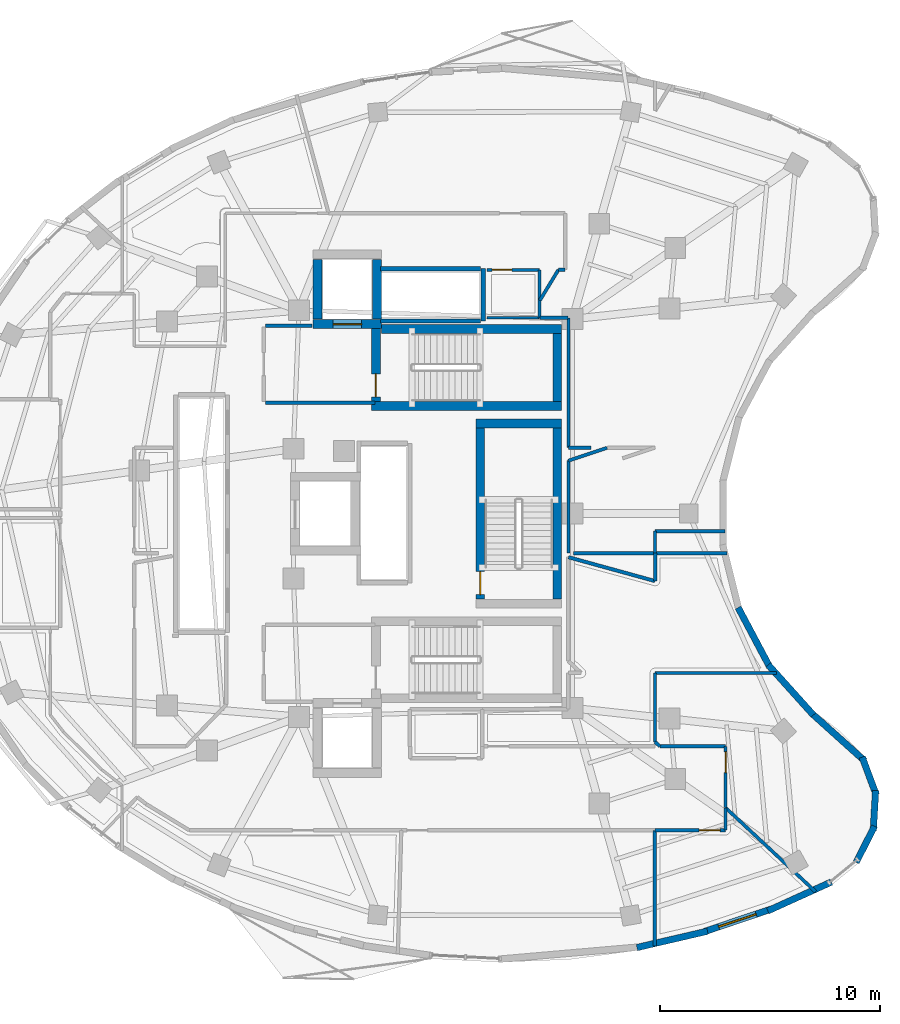
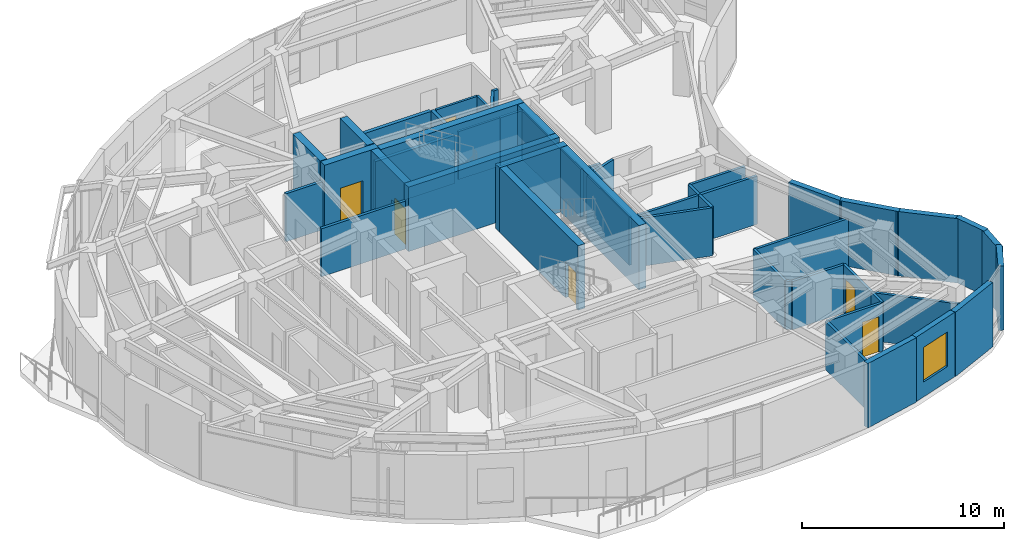
# One storey, part 9 of 14: 49 walls, 6 doors, 1 window, 7 openings.
"""IFC4 building model written with IfcOpenShell, lengths in metres."""

from ifc_helpers import new_model, si_unit, direction, frame, frame_2d, origin, place, context, subcontext, project, spatial, rectangle, extrude, material, layer, layer_set, type_object, element, fill, save


model = new_model("IFC4")

# Units and contexts
model_context = context("Model", 3, precision=1e-05, world=origin(), true_north=direction((0.0, 1.0)))
body_context = subcontext(model_context, "Body", "Model", "MODEL_VIEW")
ifc_project = project(units=[si_unit("LENGTHUNIT", "METRE"), si_unit("AREAUNIT", "SQUARE_METRE"), si_unit("VOLUMEUNIT", "CUBIC_METRE"), si_unit("PLANEANGLEUNIT", "RADIAN"), si_unit("MASSUNIT", "GRAM", prefix="KILO")], contexts=[model_context])

# Site, building, storey
site_placement = place(None, origin())
site = spatial("IfcSite", under=ifc_project, at=site_placement, CompositionType="ELEMENT")
building_placement = place(site_placement, origin())
building = spatial("IfcBuilding", under=site, at=building_placement, Name="Korentha Bioscience Tower", CompositionType="ELEMENT")
storey_placement = place(building_placement, frame((0.0, 0.0, 264.60009765625)))
storey = spatial("IfcBuildingStorey", under=building, at=storey_placement, Name="L61", CompositionType="ELEMENT", Elevation=264.60009765625)

# Wall, opening, door
ifc_material_1 = material(Name="Double-Stud Acoustic Gypsum", Category="gypsum")
ifc_layer_1 = layer(ifc_material_1, 0.14990234375, Name="Double-Stud Acoustic Gypsum")
ifc_layer_set_1 = layer_set([ifc_layer_1], Name="Double-Stud Acoustic Gypsum (IW-L150)")
wall_type_1 = type_object("IfcWallType", Name="Acoustic Laboratory Partition Wall 150", PredefinedType="PARTITIONING", material=ifc_layer_set_1)
wall_1_placement = place(storey_placement, frame((41.30810546875, 12.590087890625, 0.0), z_axis=(0.0, 0.0, 1.0), x_axis=(1.0, 0.0, 0.0)))
wall_1 = element("IfcWall", 1, at=wall_1_placement, inside=storey, type_object=wall_type_1, Name="L61 Mass-Spectrometry Analytical Suite 05 Entrance Wall", PredefinedType="PARTITIONING", context=body_context, shape_type="SweptSolid", body=[
    extrude(rectangle(XDim=3.19189453125, YDim=0.14990234375, at=frame_2d((1.595947265625, 0.0))), origin(), (0.0, 0.0, 1.0), 2.909912109375),
])
opening_1_placement = place(wall_1_placement, frame((2.001953125, 0.0, 0.0)))
opening_1 = element("IfcOpeningElement", 2, at=opening_1_placement, cuts=wall_1, Name="Opening ID-10R", PredefinedType="OPENING", context=body_context, shape_type="SweptSolid", body=[
    extrude(rectangle(XDim=0.949951171875, YDim=2.14990234375, at=frame_2d((0.47509765625, 1.074951171875))), frame((0.0, 0.08984375, 0.0), z_axis=(0.0, -1.0, 0.0), x_axis=(1.0, 0.0, 0.0)), (0.0, 0.0, 1.0), 0.1796875),
])
ifc_material_2 = material(Name="Phenolic Laminate Timber Core", Category="wood")
door_type_1 = type_object("IfcDoorType", Name="Laboratory Single Leaf Door 950x2150 Right", OperationType="SINGLE_SWING_RIGHT", PredefinedType="DOOR", material=ifc_material_2)
door_1_placement = place(opening_1_placement, origin())
door_1 = element("IfcDoor", 3, at=door_1_placement, inside=storey, type_object=door_type_1, Name="L61 Mass-Spectrometry Analytical Suite 05 Door", OperationType="SINGLE_SWING_RIGHT", OverallHeight=2.14990234375, OverallWidth=0.949951171875, PredefinedType="DOOR", context=body_context, shape_type="SweptSolid", body=[
    extrude(rectangle(XDim=0.949951171875, YDim=2.14990234375, at=frame_2d((0.47509765625, 1.074951171875))), frame((0.0, 0.02490234375, 0.0), z_axis=(0.0, -1.0, 0.0), x_axis=(1.0, 0.0, 0.0)), (0.0, 0.0, 1.0), 0.050048828125),
])
fill(opening_1, door_1)

wall_2_placement = place(storey_placement, frame((44.510009765625, 13.625244140625, 0.0), z_axis=(0.0, 0.0, 1.0), x_axis=(0.0, 1.0, 0.0)))
wall_2 = element("IfcWall", 4, at=wall_2_placement, inside=storey, type_object=wall_type_1, Name="L61 HPLC Chromatography Room 06 Entrance Wall", PredefinedType="PARTITIONING", context=body_context, shape_type="SweptSolid", body=[
    extrude(rectangle(XDim=2.774658203125, YDim=0.14990234375, at=frame_2d((1.38720703125, 0.0))), origin(), (0.0, 0.0, 1.0), 2.909912109375),
])
opening_2_placement = place(wall_2_placement, frame((1.584716796875, 0.0, 0.0)))
opening_2 = element("IfcOpeningElement", 5, at=opening_2_placement, cuts=wall_2, Name="Opening ID-10L", PredefinedType="OPENING", context=body_context, shape_type="SweptSolid", body=[
    extrude(rectangle(XDim=0.949951171875, YDim=2.14990234375, at=frame_2d((0.47509765625, 1.074951171875))), frame((0.0, 0.08984375, 0.0), z_axis=(0.0, -1.0, 0.0), x_axis=(1.0, 0.0, 0.0)), (0.0, 0.0, 1.0), 0.1796875),
])
door_type_2 = type_object("IfcDoorType", Name="Laboratory Single Leaf Door 950x2150 Left", OperationType="SINGLE_SWING_LEFT", PredefinedType="DOOR", material=ifc_material_2)
door_2_placement = place(opening_2_placement, origin())
door_2 = element("IfcDoor", 6, at=door_2_placement, inside=storey, type_object=door_type_2, Name="L61 HPLC Chromatography Room 06 Door", OperationType="SINGLE_SWING_LEFT", OverallHeight=2.14990234375, OverallWidth=0.949951171875, PredefinedType="DOOR", context=body_context, shape_type="SweptSolid", body=[
    extrude(rectangle(XDim=0.949951171875, YDim=2.14990234375, at=frame_2d((0.47509765625, 1.074951171875))), frame((0.0, 0.02490234375, 0.0), z_axis=(0.0, -1.0, 0.0), x_axis=(1.0, 0.0, 0.0)), (0.0, 0.0, 1.0), 0.050048828125),
])
fill(opening_2, door_2)

# Walls
wall_3_placement = place(storey_placement, frame((44.510009765625, 12.60009765625, 0.0), z_axis=(0.0, 0.0, 1.0), x_axis=(0.0, 1.0, 0.0)))
element("IfcWall", 7, at=wall_3_placement, inside=storey, type_object=wall_type_1, Name="L61 Interior Partition 048", PredefinedType="PARTITIONING", context=body_context, shape_type="SweptSolid", body=[
    extrude(rectangle(XDim=1.01513671875, YDim=0.14990234375, at=frame_2d((0.507568359375, 0.0))), origin(), (0.0, 0.0, 1.0), 2.909912109375),
])
wall_4_placement = place(storey_placement, frame((44.510009765625, 13.615234375, 0.0), z_axis=(0.0, 0.0, 1.0), x_axis=(0.731351206573, -0.682001035662, 0.0)))
element("IfcWall", 8, at=wall_4_placement, inside=storey, type_object=wall_type_1, Name="L61 Interior Partition 049", PredefinedType="PARTITIONING", context=body_context, shape_type="SweptSolid", body=[
    extrude(rectangle(XDim=5.59521484375, YDim=0.14990234375, at=frame_2d((2.797607421875, 0.0))), origin(), (0.0, 0.0, 1.0), 2.909912109375),
])
wall_5_placement = place(storey_placement, frame((44.5, 16.409912109375, 0.0), z_axis=(0.0, 0.0, 1.0), x_axis=(-1.0, 0.0, 0.0)))
element("IfcWall", 9, at=wall_5_placement, inside=storey, type_object=wall_type_1, Name="L61 Interior Partition 050", PredefinedType="PARTITIONING", context=body_context, shape_type="SweptSolid", body=[
    extrude(rectangle(XDim=2.981201171875, YDim=0.14990234375, at=frame_2d((1.49072265625, 0.0))), origin(), (0.0, 0.0, 1.0), 2.909912109375),
])
wall_6_placement = place(storey_placement, frame((41.518798828125, 16.409912109375, 0.0), z_axis=(0.0, 0.0, 1.0), x_axis=(-0.73097314168, 0.682406232491, 0.0)))
element("IfcWall", 10, at=wall_6_placement, inside=storey, type_object=wall_type_1, Name="L61 Interior Partition 051", PredefinedType="PARTITIONING", context=body_context, shape_type="SweptSolid", body=[
    extrude(rectangle(XDim=0.296630859375, YDim=0.14990234375, at=frame_2d((0.1484375, 0.0))), origin(), (0.0, 0.0, 1.0), 2.909912109375),
])
wall_7_placement = place(storey_placement, frame((41.302001953125, 16.6123046875, 0.0), z_axis=(0.0, 0.0, 1.0), x_axis=(0.0, 1.0, 0.0)))
element("IfcWall", 11, at=wall_7_placement, inside=storey, type_object=wall_type_1, Name="L61 Interior Partition 052", PredefinedType="PARTITIONING", context=body_context, shape_type="SweptSolid", body=[
    extrude(rectangle(XDim=3.1357421875, YDim=0.14990234375, at=frame_2d((1.56787109375, 0.0))), origin(), (0.0, 0.0, 1.0), 2.909912109375),
])
wall_8_placement = place(storey_placement, frame((41.302001953125, 19.748046875, 0.0), z_axis=(0.0, 0.0, 1.0), x_axis=(1.0, 0.0, 0.0)))
element("IfcWall", 12, at=wall_8_placement, inside=storey, type_object=wall_type_1, Name="L61 Interior Partition 053", PredefinedType="PARTITIONING", context=body_context, shape_type="SweptSolid", body=[
    extrude(rectangle(XDim=5.528076171875, YDim=0.14990234375, at=frame_2d((2.76416015625, 0.0))), origin(), (0.0, 0.0, 1.0), 2.909912109375),
])
wall_9_placement = place(storey_placement, frame((44.479248046875, 26.201904296875, 0.0), z_axis=(0.0, 0.0, 1.0), x_axis=(-1.0, 0.0, 0.0)))
element("IfcWall", 13, at=wall_9_placement, inside=storey, type_object=wall_type_1, Name="L61 Interior Partition 064", PredefinedType="PARTITIONING", context=body_context, shape_type="SweptSolid", body=[
    extrude(rectangle(XDim=3.177001953125, YDim=0.14990234375, at=frame_2d((1.58837890625, 0.0))), origin(), (0.0, 0.0, 1.0), 2.909912109375),
])
wall_10_placement = place(storey_placement, frame((41.298095703125, 26.19775390625, 0.0), z_axis=(0.0, 0.0, 1.0), x_axis=(0.0, -1.0, 0.0)))
element("IfcWall", 14, at=wall_10_placement, inside=storey, type_object=wall_type_1, Name="L61 Interior Partition 065", PredefinedType="PARTITIONING", context=body_context, shape_type="SweptSolid", body=[
    extrude(rectangle(XDim=0.99072265625, YDim=0.14990234375, at=frame_2d((0.495361328125, 0.0))), origin(), (0.0, 0.0, 1.0), 2.909912109375),
])
wall_11_placement = place(storey_placement, frame((41.29296875, 25.201904296875, 0.0), z_axis=(0.0, 0.0, 1.0), x_axis=(-1.0, 0.0, 0.0)))
element("IfcWall", 15, at=wall_11_placement, inside=storey, type_object=wall_type_1, Name="L61 Interior Partition 066", PredefinedType="PARTITIONING", context=body_context, shape_type="SweptSolid", body=[
    extrude(rectangle(XDim=3.70947265625, YDim=0.14990234375, at=frame_2d((1.854736328125, 0.0))), origin(), (0.0, 0.0, 1.0), 2.909912109375),
])
wall_12_placement = place(storey_placement, frame((37.360107421875, 25.201904296875, 0.0), z_axis=(0.0, 0.0, 1.0), x_axis=(0.0, 1.0, 0.0)))
element("IfcWall", 16, at=wall_12_placement, inside=storey, type_object=wall_type_1, Name="L61 Interior Partition 067", PredefinedType="PARTITIONING", context=body_context, shape_type="SweptSolid", body=[
    extrude(rectangle(XDim=4.205078125, YDim=0.14990234375, at=frame_2d((2.1025390625, 0.0))), origin(), (0.0, 0.0, 1.0), 2.909912109375),
])
wall_13_placement = place(storey_placement, frame((37.360107421875, 29.406982421875, 0.0), z_axis=(0.0, 0.0, 1.0), x_axis=(0.948299905075, 0.317375629238, 0.0)))
element("IfcWall", 17, at=wall_13_placement, inside=storey, type_object=wall_type_1, Name="L61 Interior Partition 068", PredefinedType="PARTITIONING", context=body_context, shape_type="SweptSolid", body=[
    extrude(rectangle(XDim=1.85009765625, YDim=0.14990234375, at=frame_2d((0.925048828125, 0.0))), origin(), (0.0, 0.0, 1.0), 2.909912109375),
])
wall_14_placement = place(storey_placement, frame((38.381591796875, 30.001953125, 0.0), z_axis=(0.0, 0.0, 1.0), x_axis=(-1.0, 0.0, 0.0)))
element("IfcWall", 18, at=wall_14_placement, inside=storey, type_object=wall_type_1, Name="L61 Interior Partition 069", PredefinedType="PARTITIONING", context=body_context, shape_type="SweptSolid", body=[
    extrude(rectangle(XDim=1.021484375, YDim=0.14990234375, at=frame_2d((0.5107421875, 0.0))), origin(), (0.0, 0.0, 1.0), 2.909912109375),
])
wall_15_placement = place(storey_placement, frame((37.360107421875, 30.001953125, 0.0), z_axis=(0.0, 0.0, 1.0), x_axis=(0.0, 1.0, 0.0)))
element("IfcWall", 19, at=wall_15_placement, inside=storey, type_object=wall_type_1, Name="L61 Interior Partition 070", PredefinedType="PARTITIONING", context=body_context, shape_type="SweptSolid", body=[
    extrude(rectangle(XDim=5.89794921875, YDim=0.14990234375, at=frame_2d((2.948974609375, 0.0))), origin(), (0.0, 0.0, 1.0), 2.909912109375),
])
wall_16_placement = place(storey_placement, frame((37.35009765625, 35.909912109375, 0.0), z_axis=(0.0, 0.0, 1.0), x_axis=(-1.0, 0.0, 0.0)))
element("IfcWall", 20, at=wall_16_placement, inside=storey, type_object=wall_type_1, Name="L61 Interior Partition 071", PredefinedType="PARTITIONING", context=body_context, shape_type="SweptSolid", body=[
    extrude(rectangle(XDim=1.2900390625, YDim=0.14990234375, at=frame_2d((0.64501953125, 0.0))), origin(), (0.0, 0.0, 1.0), 2.909912109375),
])
wall_17_placement = place(storey_placement, frame((36.06005859375, 36.70068359375, 0.0), z_axis=(0.0, 0.0, 1.0), x_axis=(0.519499134934, 0.854470975986, 0.0)))
element("IfcWall", 21, at=wall_17_placement, inside=storey, type_object=wall_type_1, Name="L61 Interior Partition 072", PredefinedType="PARTITIONING", context=body_context, shape_type="SweptSolid", body=[
    extrude(rectangle(XDim=1.6259765625, YDim=0.14990234375, at=frame_2d((0.81298828125, 0.0))), origin(), (0.0, 0.0, 1.0), 2.909912109375),
])
wall_18_placement = place(storey_placement, frame((36.90478515625, 38.090087890625, 0.0), z_axis=(0.0, 0.0, 1.0), x_axis=(1.0, 0.0, 0.0)))
element("IfcWall", 22, at=wall_18_placement, inside=storey, type_object=wall_type_1, Name="L61 Interior Partition 073", PredefinedType="PARTITIONING", context=body_context, shape_type="SweptSolid", body=[
    extrude(rectangle(XDim=0.295166015625, YDim=0.14990234375, at=frame_2d((0.1474609375, 0.0))), origin(), (0.0, 0.0, 1.0), 2.909912109375),
])
ifc_material_3 = material(Name="Gypsum-Clad Steel Stud", Category="steel")
ifc_layer_2 = layer(ifc_material_3, 0.159912109375, Name="Gypsum-Clad Steel Stud")
ifc_layer_set_2 = layer_set([ifc_layer_2], Name="Gypsum-Clad Steel Stud (IW-C160)")
wall_type_2 = type_object("IfcWallType", Name="Fire-Rated Corridor Partition Wall 160", PredefinedType="PARTITIONING", material=ifc_layer_set_2)
wall_19_placement = place(storey_placement, frame((23.580078125, 32.050048828125, 0.0), z_axis=(0.0, 0.0, 1.0), x_axis=(1.0, 0.0, 0.0)))
element("IfcWall", 23, at=wall_19_placement, inside=storey, type_object=wall_type_2, Name="L61 Firefighting Lobby Return Wall FFLN-S", PredefinedType="PARTITIONING", context=body_context, shape_type="SweptSolid", body=[
    extrude(rectangle(XDim=4.969970703125, YDim=0.159912109375, at=frame_2d((2.48486328125, 0.0))), origin(), (0.0, 0.0, 1.0), 2.909912109375),
])
wall_20_placement = place(storey_placement, frame((23.580078125, 35.550048828125, 0.0), z_axis=(0.0, 0.0, 1.0), x_axis=(1.0, 0.0, 0.0)))
element("IfcWall", 24, at=wall_20_placement, inside=storey, type_object=wall_type_2, Name="L61 Firefighting Lobby Return Wall FFLN-N", PredefinedType="PARTITIONING", context=body_context, shape_type="SweptSolid", body=[
    extrude(rectangle(XDim=2.119873046875, YDim=0.159912109375, at=frame_2d((1.06005859375, 0.0))), origin(), (0.0, 0.0, 1.0), 2.909912109375),
])
wall_21_placement = place(storey_placement, frame((41.298095703125, 12.590087890625, 0.0), z_axis=(0.0, 0.0, 1.0), x_axis=(0.0, -1.0, 0.0)))
element("IfcWall", 25, at=wall_21_placement, inside=storey, type_object=wall_type_2, Name="L61 Interior Partition 047", PredefinedType="PARTITIONING", context=body_context, shape_type="SweptSolid", body=[
    extrude(rectangle(XDim=5.260986328125, YDim=0.159912109375, at=frame_2d((2.63037109375, 0.0))), origin(), (0.0, 0.0, 1.0), 2.909912109375),
])
wall_22_placement = place(storey_placement, frame((37.360107421875, 25.0146484375, 0.0), z_axis=(0.0, 0.0, 1.0), x_axis=(0.964088745179, -0.26558029185, 0.0)))
element("IfcWall", 26, at=wall_22_placement, inside=storey, type_object=wall_type_2, Name="L61 Interior Partition 056", PredefinedType="PARTITIONING", context=body_context, shape_type="SweptSolid", body=[
    extrude(rectangle(XDim=4.08349609375, YDim=0.159912109375, at=frame_2d((2.041748046875, 0.0))), origin(), (0.0, 0.0, 1.0), 2.909912109375),
])
wall_23_placement = place(storey_placement, frame((41.302001953125, 23.93408203125, 0.0), z_axis=(0.0, 0.0, 1.0), x_axis=(0.0, 1.0, 0.0)))
element("IfcWall", 27, at=wall_23_placement, inside=storey, type_object=wall_type_2, Name="L61 Interior Partition 057", PredefinedType="PARTITIONING", context=body_context, shape_type="SweptSolid", body=[
    extrude(rectangle(XDim=1.263671875, YDim=0.159912109375, at=frame_2d((0.6318359375, 0.0))), origin(), (0.0, 0.0, 1.0), 2.909912109375),
])
wall_24_placement = place(storey_placement, frame((41.30224609375, 25.197998046875, 0.0), z_axis=(0.0, 0.0, 1.0), x_axis=(1.0, 0.0, 0.0)))
element("IfcWall", 28, at=wall_24_placement, inside=storey, type_object=wall_type_2, Name="L61 Interior Partition 058", PredefinedType="PARTITIONING", context=body_context, shape_type="SweptSolid", body=[
    extrude(rectangle(XDim=3.27685546875, YDim=0.159912109375, at=frame_2d((1.638427734375, 0.0))), origin(), (0.0, 0.0, 1.0), 2.909912109375),
])

# Wall, opening, window
ifc_material_4 = material(Name="Honed Limestone Precast Concrete C40", Category="masonry")
ifc_layer_3 = layer(ifc_material_4, 0.300048828125, Name="Honed Limestone Precast Concrete C40")
ifc_layer_set_3 = layer_set([ifc_layer_3], Name="Honed Limestone Precast Concrete C40 (EW-ST300)")
wall_type_3 = type_object("IfcWallType", Name="Honed Limestone Cavity Spandrel Wall 300", PredefinedType="STANDARD", material=ifc_layer_set_3)
wall_25_placement = place(storey_placement, frame((43.532470703125, 7.976806640625, 0.0), z_axis=(0.0, 0.0, 1.0), x_axis=(0.947657235502, 0.319289467413, 0.0)))
wall_25 = element("IfcWall", 29, at=wall_25_placement, inside=storey, type_object=wall_type_3, Name="L61 Honed Limestone Spandrel Wall 35", PredefinedType="STANDARD", context=body_context, shape_type="SweptSolid", body=[
    extrude(rectangle(XDim=3.203857421875, YDim=0.300048828125, at=frame_2d((1.60205078125, 0.0))), origin(), (0.0, 0.0, 1.0), 3.89990234375),
])
opening_3_placement = place(wall_25_placement, frame((0.701904296875, 0.0, 0.89990234375)))
opening_3 = element("IfcOpeningElement", 30, at=opening_3_placement, cuts=wall_25, Name="Opening WN-01", PredefinedType="OPENING", context=body_context, shape_type="SweptSolid", body=[
    extrude(rectangle(XDim=1.800048828125, YDim=2.10009765625, at=frame_2d((0.89990234375, 1.050048828125))), frame((0.0, 0.1650390625, 0.0), z_axis=(0.0, -1.0, 0.0), x_axis=(1.0, 0.0, 0.0)), (0.0, 0.0, 1.0), 0.329833984375),
])
ifc_material_5 = material(Name="Thermally Broken Aluminium Triple Glazing", Category="aluminium")
window_type = type_object("IfcWindowType", Name="Triple-Glazed Fixed Bioscience Window 1800x2100", PartitioningType="SINGLE_PANEL", PredefinedType="WINDOW", material=ifc_material_5)
window_placement = place(opening_3_placement, origin())
window = element("IfcWindow", 31, at=window_placement, inside=storey, type_object=window_type, Name="L61 Facade Window 35", OverallHeight=2.10009765625, OverallWidth=1.800048828125, PartitioningType="SINGLE_PANEL", PredefinedType="WINDOW", context=body_context, shape_type="SweptSolid", body=[
    extrude(rectangle(XDim=1.800048828125, YDim=2.10009765625, at=frame_2d((0.89990234375, 1.050048828125))), frame((0.0, 0.030029296875, 0.0), z_axis=(0.0, -1.0, 0.0), x_axis=(1.0, 0.0, 0.0)), (0.0, 0.0, 1.0), 0.06005859375),
])
fill(opening_3, window)

# Walls
wall_26_placement = place(storey_placement, frame((40.47607421875, 7.254638671875, 0.0), z_axis=(0.0, 0.0, 1.0), x_axis=(0.974177266996, 0.225784526637, 0.0)))
element("IfcWall", 32, at=wall_26_placement, inside=storey, type_object=wall_type_3, Name="L61 Limestone Perimeter Closure Wall 34", PredefinedType="STANDARD", context=body_context, shape_type="SweptSolid", body=[
    extrude(rectangle(XDim=3.2958984375, YDim=0.300048828125, at=frame_2d((1.64794921875, 0.0))), origin(), (0.0, 0.0, 1.0), 3.89990234375),
])
wall_27_placement = place(storey_placement, frame((46.431884765625, 8.92333984375, 0.0), z_axis=(0.0, 0.0, 1.0), x_axis=(0.910592641424, 0.413305022211, 0.0)))
element("IfcWall", 33, at=wall_27_placement, inside=storey, type_object=wall_type_3, Name="L61 Limestone Perimeter Closure Wall 36", PredefinedType="STANDARD", context=body_context, shape_type="SweptSolid", body=[
    extrude(rectangle(XDim=3.177490234375, YDim=0.300048828125, at=frame_2d((1.5888671875, 0.0))), origin(), (0.0, 0.0, 1.0), 3.89990234375),
])
for number, where, z_axis, x_axis, name in (
    (34, (50.451171875, 11.1328125, 0.0), (0.0, 0.0, 1.0), (0.454199826939, 0.890899835677, 0.0), "L61 Limestone Perimeter Closure Wall 38"),
    (35, (51.231689453125, 12.56689453125, 0.0), (0.0, 0.0, 1.0), (0.057400886187, 0.998351209878, 0.0), "L61 Limestone Perimeter Closure Wall 39"),
    (36, (51.369384765625, 14.193603515625, 0.0), (0.0, 0.0, 1.0), (-0.348928688775, 0.937149278477, 0.0), "L61 Limestone Perimeter Closure Wall 40"),
):
    element("IfcWall", number, at=place(storey_placement, frame(where, z_axis=z_axis, x_axis=x_axis)), inside=storey, type_object=wall_type_3, Name=name, PredefinedType="STANDARD", context=body_context, shape_type="SweptSolid", body=[
        extrude(rectangle(XDim=1.841552734375, YDim=0.300048828125, at=frame_2d((0.9208984375, 0.0))), origin(), (0.0, 0.0, 1.0), 3.89990234375),
    ])
wall_28_placement = place(storey_placement, frame((50.8515625, 15.73583984375, 0.0), z_axis=(0.0, 0.0, 1.0), x_axis=(-0.743397410822, 0.668849975393, 0.0)))
element("IfcWall", 37, at=wall_28_placement, inside=storey, type_object=wall_type_3, Name="L61 Limestone Perimeter Closure Wall 41", PredefinedType="STANDARD", context=body_context, shape_type="SweptSolid", body=[
    extrude(rectangle(XDim=3.291259765625, YDim=0.300048828125, at=frame_2d((1.6455078125, 0.0))), origin(), (0.0, 0.0, 1.0), 3.89990234375),
])
wall_29_placement = place(storey_placement, frame((48.507568359375, 17.834716796875, 0.0), z_axis=(0.0, 0.0, 1.0), x_axis=(-0.669127242861, 0.743147853971, 0.0)))
element("IfcWall", 38, at=wall_29_placement, inside=storey, type_object=wall_type_3, Name="L61 Limestone Perimeter Closure Wall 43", PredefinedType="STANDARD", context=body_context, shape_type="SweptSolid", body=[
    extrude(rectangle(XDim=3.07080078125, YDim=0.300048828125, at=frame_2d((1.535400390625, 0.0))), origin(), (0.0, 0.0, 1.0), 3.89990234375),
])
wall_30_placement = place(storey_placement, frame((46.5244140625, 20.014404296875, 0.0), z_axis=(0.0, 0.0, 1.0), x_axis=(-0.469494296004, 0.882935505017, 0.0)))
element("IfcWall", 39, at=wall_30_placement, inside=storey, type_object=wall_type_3, Name="L61 Limestone Perimeter Closure Wall 45", PredefinedType="STANDARD", context=body_context, shape_type="SweptSolid", body=[
    extrude(rectangle(XDim=3.070556640625, YDim=0.300048828125, at=frame_2d((1.53515625, 0.0))), origin(), (0.0, 0.0, 1.0), 3.89990234375),
])
ifc_material_6 = material(Name="Autoclaved Aerated Concrete Block C25", Category="concrete")
ifc_layer_4 = layer(ifc_material_6, 0.199951171875, Name="Autoclaved Aerated Concrete Block C25")
ifc_layer_set_4 = layer_set([ifc_layer_4], Name="Autoclaved Aerated Concrete Block C25 (IW-S200)")
wall_type_4 = type_object("IfcWallType", Name="Lift and Riser Shaft Enclosure Wall 200", PredefinedType="PARTITIONING", material=ifc_layer_set_4)
wall_31_placement = place(storey_placement, frame((33.489990234375, 35.760009765625, 0.0), z_axis=(0.0, 0.0, 1.0), x_axis=(0.0, 1.0, 0.0)))
element("IfcWall", 40, at=wall_31_placement, inside=storey, type_object=wall_type_4, Name="L61 Lift Bank OBS Shaft Wall +X", PredefinedType="PARTITIONING", context=body_context, shape_type="SweptSolid", body=[
    extrude(rectangle(XDim=2.3798828125, YDim=0.199951171875, at=frame_2d((1.18994140625, 0.0))), origin(), (0.0, 0.0, 1.0), 2.909912109375),
])
for number, where, z_axis, x_axis, name in (
    (41, (28.800048828125, 35.760009765625, 0.0), (0.0, 0.0, 1.0), (1.0, 0.0, 0.0), "L61 Lift Bank OBS Shaft Wall -Y"),
    (42, (28.800048828125, 38.139892578125, 0.0), (0.0, 0.0, 1.0), (1.0, 0.0, 0.0), "L61 Lift Bank OBS Shaft Wall +Y"),
):
    element("IfcWall", number, at=place(storey_placement, frame(where, z_axis=z_axis, x_axis=x_axis)), inside=storey, type_object=wall_type_4, Name=name, PredefinedType="PARTITIONING", context=body_context, shape_type="SweptSolid", body=[
        extrude(rectangle(XDim=4.570068359375, YDim=0.199951171875, at=frame_2d((2.28515625, 0.0))), origin(), (0.0, 0.0, 1.0), 2.909912109375),
    ])
ifc_material_7 = material(Name="Concrete C65", Category="concrete")
ifc_layer_5 = layer(ifc_material_7, 0.39990234375, Name="Concrete C65")
ifc_layer_set_5 = layer_set([ifc_layer_5], Name="Concrete C65 (CW-C65)")
wall_type_5 = type_object("IfcWallType", Name="Mid-Rise Core Shear Wall 400", PredefinedType="SHEAR", material=ifc_layer_set_5)
wall_32_placement = place(storey_placement, frame((28.85205078125, 35.39990234375, 0.0), z_axis=(0.0, 0.0, 1.0), x_axis=(1.0, 0.0, 0.0)))
element("IfcWall", 43, at=wall_32_placement, inside=storey, type_object=wall_type_5, Name="L61 Core Shear Wall ST1-N", PredefinedType="SHEAR", context=body_context, shape_type="SweptSolid", body=[
    extrude(rectangle(XDim=8.197998046875, YDim=0.39990234375, at=frame_2d((4.09912109375, 0.0))), origin(), (0.0, 0.0, 1.0), 3.89990234375),
])
wall_33_placement = place(storey_placement, frame((28.39990234375, 31.89990234375, 0.0), z_axis=(0.0, 0.0, 1.0), x_axis=(1.0, 0.0, 0.0)))
element("IfcWall", 44, at=wall_33_placement, inside=storey, type_object=wall_type_5, Name="L61 Core Shear Wall ST1-S", PredefinedType="SHEAR", context=body_context, shape_type="SweptSolid", body=[
    extrude(rectangle(XDim=8.650146484375, YDim=0.39990234375, at=frame_2d((4.3251953125, 0.0))), origin(), (0.0, 0.0, 1.0), 3.89990234375),
])
wall_34_placement = place(storey_placement, frame((36.85009765625, 32.110107421875, 0.0), z_axis=(0.0, 0.0, 1.0), x_axis=(0.0, 1.0, 0.0)))
element("IfcWall", 45, at=wall_34_placement, inside=storey, type_object=wall_type_5, Name="L61 Core Shear Wall ST1-E", PredefinedType="SHEAR", context=body_context, shape_type="SweptSolid", body=[
    extrude(rectangle(XDim=3.079833984375, YDim=0.39990234375, at=frame_2d((1.5400390625, 0.0))), origin(), (0.0, 0.0, 1.0), 3.89990234375),
])

# Wall, opening, door
wall_35_placement = place(storey_placement, frame((28.60009765625, 32.110107421875, 0.0), z_axis=(0.0, 0.0, 1.0), x_axis=(0.0, 1.0, 0.0)))
wall_35 = element("IfcWall", 46, at=wall_35_placement, inside=storey, type_object=wall_type_5, Name="L61 Core Shear Wall ST1-W", PredefinedType="SHEAR", context=body_context, shape_type="SweptSolid", body=[
    extrude(rectangle(XDim=3.307861328125, YDim=0.39990234375, at=frame_2d((1.65380859375, 0.0))), origin(), (0.0, 0.0, 1.0), 3.89990234375),
])
opening_4_placement = place(wall_35_placement, frame((0.199951171875, 0.0, 0.0)))
opening_4 = element("IfcOpeningElement", 47, at=opening_4_placement, cuts=wall_35, Name="Opening FD-90R", PredefinedType="OPENING", context=body_context, shape_type="SweptSolid", body=[
    extrude(rectangle(XDim=1.050048828125, YDim=2.14990234375, at=frame_2d((0.52490234375, 1.074951171875))), frame((0.0, 0.21484375, 0.0), z_axis=(0.0, -1.0, 0.0), x_axis=(1.0, 0.0, 0.0)), (0.0, 0.0, 1.0), 0.4296875),
])
ifc_material_8 = material(Name="Powder-Coated Fire-Rated Steel", Category="steel")
door_type_3 = type_object("IfcDoorType", Name="Stairwell Fire Exit Door 1050x2150 Right", OperationType="SINGLE_SWING_RIGHT", PredefinedType="DOOR", material=ifc_material_8)
door_3_placement = place(opening_4_placement, origin())
door_3 = element("IfcDoor", 48, at=door_3_placement, inside=storey, type_object=door_type_3, Name="L61 ST-1 Fire Exit Stair Door", OperationType="SINGLE_SWING_RIGHT", OverallHeight=2.14990234375, OverallWidth=1.050048828125, PredefinedType="DOOR", context=body_context, shape_type="SweptSolid", body=[
    extrude(rectangle(XDim=1.050048828125, YDim=2.14990234375, at=frame_2d((0.52490234375, 1.074951171875))), frame((0.0, 0.02490234375, 0.0), z_axis=(0.0, -1.0, 0.0), x_axis=(1.0, 0.0, 0.0)), (0.0, 0.0, 1.0), 0.050048828125),
])
fill(opening_4, door_3)

# Walls
wall_36_placement = place(storey_placement, frame((33.14990234375, 31.10009765625, 0.0), z_axis=(0.0, 0.0, 1.0), x_axis=(1.0, 0.0, 0.0)))
element("IfcWall", 49, at=wall_36_placement, inside=storey, type_object=wall_type_5, Name="L61 Core Shear Wall ST3-N", PredefinedType="SHEAR", context=body_context, shape_type="SweptSolid", body=[
    extrude(rectangle(XDim=3.900146484375, YDim=0.39990234375, at=frame_2d((1.9501953125, 0.0))), origin(), (0.0, 0.0, 1.0), 3.89990234375),
])
wall_37_placement = place(storey_placement, frame((36.85009765625, 23.110107421875, 0.0), z_axis=(0.0, 0.0, 1.0), x_axis=(0.0, 1.0, 0.0)))
element("IfcWall", 50, at=wall_37_placement, inside=storey, type_object=wall_type_5, Name="L61 Core Shear Wall ST3-E", PredefinedType="SHEAR", context=body_context, shape_type="SweptSolid", body=[
    extrude(rectangle(XDim=7.77978515625, YDim=0.39990234375, at=frame_2d((3.889892578125, 0.0))), origin(), (0.0, 0.0, 1.0), 3.89990234375),
])

# Wall, opening, door
wall_38_placement = place(storey_placement, frame((33.35009765625, 23.110107421875, 0.0), z_axis=(0.0, 0.0, 1.0), x_axis=(0.0, 1.0, 0.0)))
wall_38 = element("IfcWall", 51, at=wall_38_placement, inside=storey, type_object=wall_type_5, Name="L61 Core Shear Wall ST3-W", PredefinedType="SHEAR", context=body_context, shape_type="SweptSolid", body=[
    extrude(rectangle(XDim=7.77978515625, YDim=0.39990234375, at=frame_2d((3.889892578125, 0.0))), origin(), (0.0, 0.0, 1.0), 3.89990234375),
])
opening_5_placement = place(wall_38_placement, frame((0.199951171875, 0.0, 0.0)))
opening_5 = element("IfcOpeningElement", 52, at=opening_5_placement, cuts=wall_38, Name="Opening FD-90R", PredefinedType="OPENING", context=body_context, shape_type="SweptSolid", body=[
    extrude(rectangle(XDim=1.050048828125, YDim=2.14990234375, at=frame_2d((0.52490234375, 1.074951171875))), frame((0.0, 0.21484375, 0.0), z_axis=(0.0, -1.0, 0.0), x_axis=(1.0, 0.0, 0.0)), (0.0, 0.0, 1.0), 0.4296875),
])
door_4_placement = place(opening_5_placement, origin())
door_4 = element("IfcDoor", 53, at=door_4_placement, inside=storey, type_object=door_type_3, Name="L61 ST-3 Fire Exit Stair Door", OperationType="SINGLE_SWING_RIGHT", OverallHeight=2.14990234375, OverallWidth=1.050048828125, PredefinedType="DOOR", context=body_context, shape_type="SweptSolid", body=[
    extrude(rectangle(XDim=1.050048828125, YDim=2.14990234375, at=frame_2d((0.52490234375, 1.074951171875))), frame((0.0, 0.02490234375, 0.0), z_axis=(0.0, -1.0, 0.0), x_axis=(1.0, 0.0, 0.0)), (0.0, 0.0, 1.0), 0.050048828125),
])
fill(opening_5, door_4)

wall_39_placement = place(storey_placement, frame((25.75, 35.6201171875, 0.0), z_axis=(0.0, 0.0, 1.0), x_axis=(1.0, 0.0, 0.0)))
wall_39 = element("IfcWall", 54, at=wall_39_placement, inside=storey, type_object=wall_type_5, Name="L61 Core Shear Wall FFL2-S", PredefinedType="SHEAR", context=body_context, shape_type="SweptSolid", body=[
    extrude(rectangle(XDim=3.10009765625, YDim=0.39990234375, at=frame_2d((1.550048828125, 0.0))), origin(), (0.0, 0.0, 1.0), 3.89990234375),
])
opening_6_placement = place(wall_39_placement, frame((0.89990234375, 0.0, 0.0)))
opening_6 = element("IfcOpeningElement", 55, at=opening_6_placement, cuts=wall_39, Name="Opening LD-13", PredefinedType="OPENING", context=body_context, shape_type="SweptSolid", body=[
    extrude(rectangle(XDim=1.300048828125, YDim=2.199951171875, at=frame_2d((0.64990234375, 1.10009765625))), frame((0.0, 0.21484375, 0.0), z_axis=(0.0, -1.0, 0.0), x_axis=(1.0, 0.0, 0.0)), (0.0, 0.0, 1.0), 0.4296875),
])
ifc_material_9 = material(Name="Brushed Stainless Steel 316", Category="steel")
door_type_4 = type_object("IfcDoorType", Name="Service & Firefighting Lift Landing Door 1300x2300", OperationType="DOUBLE_DOOR_SLIDING", PredefinedType="DOOR", material=ifc_material_9)
door_5_placement = place(opening_6_placement, origin())
door_5 = element("IfcDoor", 56, at=door_5_placement, inside=storey, type_object=door_type_4, Name="L61 FFL-2 Sliding Lift Landing Door", OperationType="DOUBLE_DOOR_SLIDING", OverallHeight=2.199951171875, OverallWidth=1.300048828125, PredefinedType="DOOR", context=body_context, shape_type="SweptSolid", body=[
    extrude(rectangle(XDim=1.300048828125, YDim=2.199951171875, at=frame_2d((0.64990234375, 1.10009765625))), frame((0.0, 0.02490234375, 0.0), z_axis=(0.0, -1.0, 0.0), x_axis=(1.0, 0.0, 0.0)), (0.0, 0.0, 1.0), 0.050048828125),
])
fill(opening_6, door_5)

# Walls
for number, where, z_axis, x_axis, name in (
    (57, (25.949951171875, 35.860107421875, 0.0), (0.0, 0.0, 1.0), (0.0, 1.0, 0.0), "L61 Core Shear Wall FFL2-W"),
    (58, (28.64990234375, 35.860107421875, 0.0), (0.0, 0.0, 1.0), (0.0, 1.0, 0.0), "L61 Core Shear Wall FFL2-E"),
):
    element("IfcWall", number, at=place(storey_placement, frame(where, z_axis=z_axis, x_axis=x_axis)), inside=storey, type_object=wall_type_5, Name=name, PredefinedType="SHEAR", context=body_context, shape_type="SweptSolid", body=[
        extrude(rectangle(XDim=2.699951171875, YDim=0.39990234375, at=frame_2d((1.35009765625, 0.0))), origin(), (0.0, 0.0, 1.0), 3.89990234375),
    ])

# Wall, opening, door
ifc_material_10 = material(Name="Cement-Board Steel Stud", Category="steel")
ifc_layer_6 = layer(ifc_material_10, 0.1298828125, Name="Cement-Board Steel Stud")
ifc_layer_set_6 = layer_set([ifc_layer_6], Name="Cement-Board Steel Stud (IW-W130)")
wall_type_6 = type_object("IfcWallType", Name="Wet-Area Moisture-Resistant Partition 130", PredefinedType="PARTITIONING", material=ifc_layer_set_6)
wall_40_placement = place(storey_placement, frame((33.64990234375, 38.090087890625, 0.0), z_axis=(0.0, 0.0, 1.0), x_axis=(1.0, 0.0, 0.0)))
wall_40 = element("IfcWall", 59, at=wall_40_placement, inside=storey, type_object=wall_type_6, Name="L61 Accessible Staff WC Entrance Wall", PredefinedType="PARTITIONING", context=body_context, shape_type="SweptSolid", body=[
    extrude(rectangle(XDim=2.400146484375, YDim=0.1298828125, at=frame_2d((1.2001953125, 0.0))), origin(), (0.0, 0.0, 1.0), 2.909912109375),
])
opening_7_placement = place(wall_40_placement, frame((0.239990234375, 0.0, 0.0)))
opening_7 = element("IfcOpeningElement", 60, at=opening_7_placement, cuts=wall_40, Name="Opening ID-09L", PredefinedType="OPENING", context=body_context, shape_type="SweptSolid", body=[
    extrude(rectangle(XDim=0.89990234375, YDim=2.14990234375, at=frame_2d((0.449951171875, 1.074951171875))), frame((0.0, 0.079833984375, 0.0), z_axis=(0.0, -1.0, 0.0), x_axis=(1.0, 0.0, 0.0)), (0.0, 0.0, 1.0), 0.15966796875),
])
ifc_material_11 = material(Name="Moisture-Resistant HPL Leaf", Category="wood")
door_type_5 = type_object("IfcDoorType", Name="Restroom & Accessible WC Door 900x2150 Left", OperationType="SINGLE_SWING_LEFT", PredefinedType="DOOR", material=ifc_material_11)
door_6_placement = place(opening_7_placement, origin())
door_6 = element("IfcDoor", 61, at=door_6_placement, inside=storey, type_object=door_type_5, Name="L61 Accessible Staff WC Door", OperationType="SINGLE_SWING_LEFT", OverallHeight=2.14990234375, OverallWidth=0.89990234375, PredefinedType="DOOR", context=body_context, shape_type="SweptSolid", body=[
    extrude(rectangle(XDim=0.89990234375, YDim=2.14990234375, at=frame_2d((0.449951171875, 1.074951171875))), frame((0.0, 0.02490234375, 0.0), z_axis=(0.0, -1.0, 0.0), x_axis=(1.0, 0.0, 0.0)), (0.0, 0.0, 1.0), 0.050048828125),
])
fill(opening_7, door_6)

# Walls
wall_41_placement = place(storey_placement, frame((36.050048828125, 35.909912109375, 0.0), z_axis=(0.0, 0.0, 1.0), x_axis=(-1.0, 0.0, 0.0)))
element("IfcWall", 62, at=wall_41_placement, inside=storey, type_object=wall_type_6, Name="L61 Interior Partition 021", PredefinedType="PARTITIONING", context=body_context, shape_type="SweptSolid", body=[
    extrude(rectangle(XDim=2.400146484375, YDim=0.1298828125, at=frame_2d((1.2001953125, 0.0))), origin(), (0.0, 0.0, 1.0), 2.909912109375),
])
wall_42_placement = place(storey_placement, frame((36.050048828125, 38.090087890625, 0.0), z_axis=(0.0, 0.0, 1.0), x_axis=(0.0, -1.0, 0.0)))
element("IfcWall", 63, at=wall_42_placement, inside=storey, type_object=wall_type_6, Name="L61 Interior Partition 022", PredefinedType="PARTITIONING", context=body_context, shape_type="SweptSolid", body=[
    extrude(rectangle(XDim=2.18017578125, YDim=0.1298828125, at=frame_2d((1.090087890625, 0.0))), origin(), (0.0, 0.0, 1.0), 2.909912109375),
])

save(model, "model.ifc")
